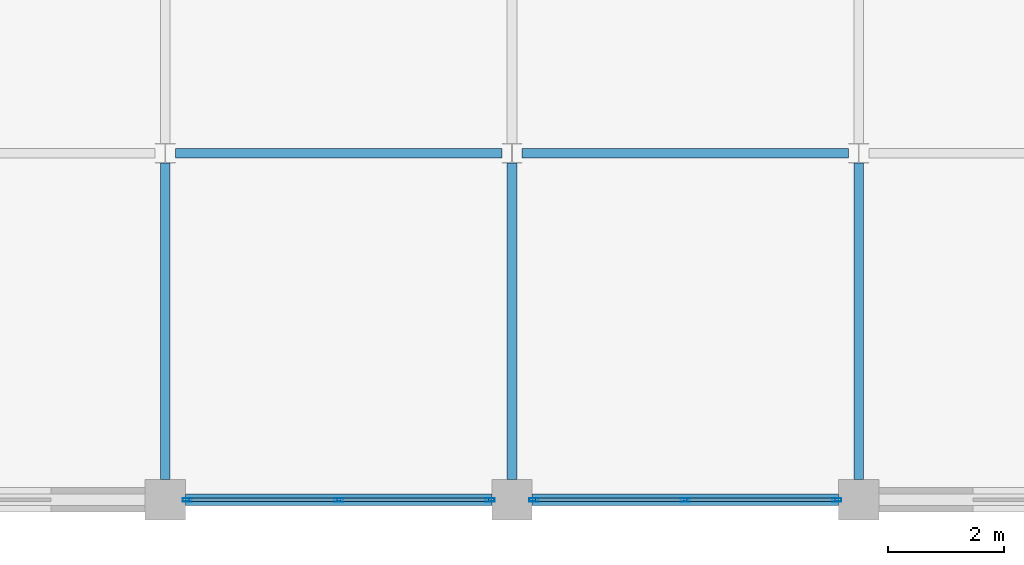
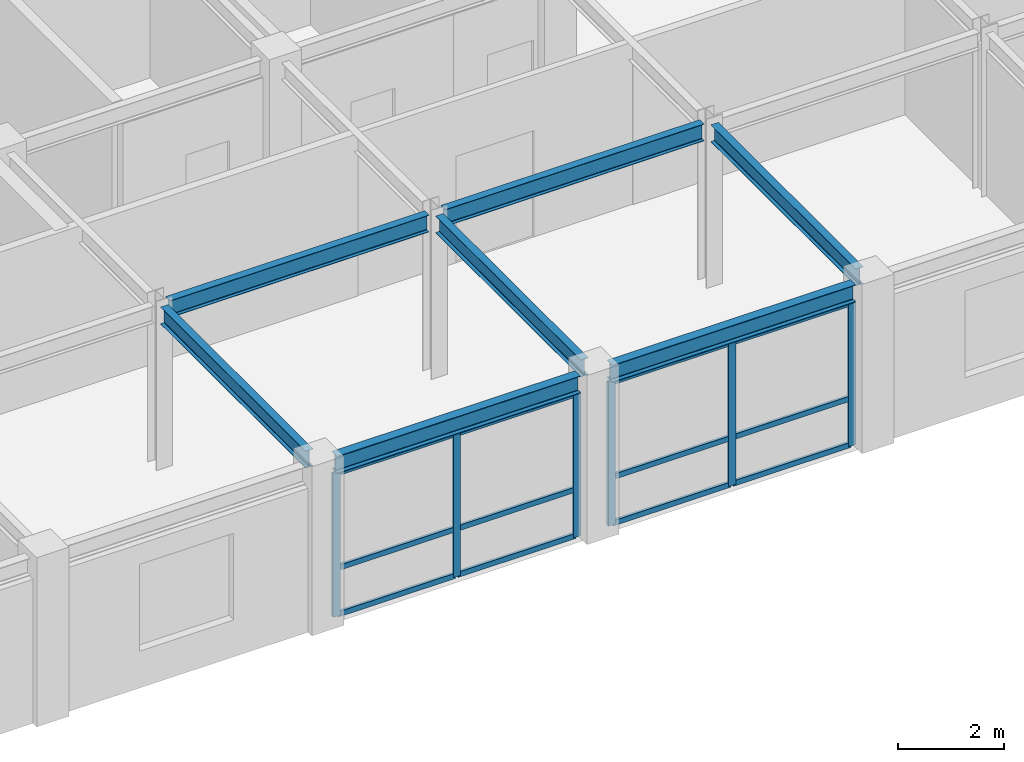
# One storey, part 5 of 13: 18 members, 7 beams, 2 elements without a shape of their own.
"""IFC4 building model written with IfcOpenShell, lengths in metres."""

from ifc_helpers import new_model, si_unit, direction, frame, origin, origin_2d, place, context, subcontext, project, spatial, hollow_rectangle, i_section, extrude, material, layer, layer_set, material_profile, profile_set, type_object, element, aggregate, save


model = new_model("IFC4")

# Units and contexts
model_context = context("Model", 3, precision=1e-05, world=origin(), true_north=direction((0.0, 1.0)))
body_context = subcontext(model_context, "Body", "Model", "MODEL_VIEW")
ifc_project = project(units=[si_unit("LENGTHUNIT", "METRE"), si_unit("AREAUNIT", "SQUARE_METRE"), si_unit("VOLUMEUNIT", "CUBIC_METRE"), si_unit("PLANEANGLEUNIT", "RADIAN"), si_unit("MASSUNIT", "GRAM", prefix="KILO")], contexts=[model_context])

# Site, building, storey
site_placement = place(None, origin())
site = spatial("IfcSite", under=ifc_project, at=site_placement, CompositionType="ELEMENT")
building_placement = place(site_placement, origin())
building = spatial("IfcBuilding", under=site, at=building_placement, Name="Zlatovratsky Civic Hall", CompositionType="ELEMENT")
storey_placement = place(building_placement, frame((0.0, 0.0, 44.39990234375)))
storey = spatial("IfcBuildingStorey", under=building, at=storey_placement, Name="L11", CompositionType="ELEMENT", Elevation=44.39990234375)

# Beams
ifc_material_1 = material(Name="Steel S355", Category="steel")
ifc_material_profile_1 = material_profile(ifc_material_1, i_section(OverallWidth=0.199951171875, OverallDepth=0.39990234375, WebThickness=0.008056640625, FlangeThickness=0.012939453125, FilletRadius=0.014892578125, at=origin_2d()), Name="40B2")
ifc_profile_set_1 = profile_set([ifc_material_profile_1], Name="Steel S355")
beam_type_1 = type_object("IfcBeamType", Name="Beam_Spandrel_40B2", PredefinedType="SPANDREL", material=ifc_profile_set_1)
for number, where, z_axis, x_axis, name in (
    (1, (78.35009765625, 72.0, 3.5400390625), (1.0, 0.0, 0.0), (0.0, 1.0, 0.0), "BM-4706"),
    (2, (84.35009765625, 72.0, 3.5400390625), (1.0, 0.0, 0.0), (0.0, 1.0, 0.0), "BM-4707"),
):
    element("IfcBeam", number, at=place(storey_placement, frame(where, z_axis=z_axis, x_axis=x_axis)), inside=storey, type_object=beam_type_1, Name=name, PredefinedType="SPANDREL", context=body_context, shape_type="SweptSolid", body=[
        extrude(i_section(OverallWidth=0.199951171875, OverallDepth=0.39990234375, WebThickness=0.008056640625, FlangeThickness=0.012939453125, FilletRadius=0.014892578125, at=origin_2d()), origin(), (0.0, 0.0, 1.0), 5.2998046875),
    ])
ifc_material_profile_2 = material_profile(ifc_material_1, i_section(OverallWidth=0.1650390625, OverallDepth=0.39208984375, WebThickness=0.006591796875, FlangeThickness=0.009521484375, FilletRadius=0.014892578125, at=origin_2d()), Name="40B1")
ifc_profile_set_2 = profile_set([ifc_material_profile_2], Name="Steel S355")
beam_type_2 = type_object("IfcBeamType", Name="Beam_Tie_40B1", PredefinedType="BEAM", material=ifc_profile_set_2)
for number, where, z_axis, x_axis, name in (
    (3, (78.175048828125, 78.0, 3.544189453125), (1.0, 0.0, 0.0), (0.0, 1.0, 0.0), "BM-4714"),
    (4, (84.175048828125, 78.0, 3.544189453125), (1.0, 0.0, 0.0), (0.0, 1.0, 0.0), "BM-4715"),
):
    element("IfcBeam", number, at=place(storey_placement, frame(where, z_axis=z_axis, x_axis=x_axis)), inside=storey, type_object=beam_type_2, Name=name, PredefinedType="BEAM", context=body_context, shape_type="SweptSolid", body=[
        extrude(i_section(OverallWidth=0.1650390625, OverallDepth=0.39208984375, WebThickness=0.006591796875, FlangeThickness=0.009521484375, FilletRadius=0.014892578125, at=origin_2d()), origin(), (0.0, 0.0, 1.0), 5.64990234375),
    ])
for number, where, z_axis, x_axis, name in (
    (5, (78.0, 72.35009765625, 3.544189453125), (0.0, 1.0, 0.0), (-1.0, 0.0, 0.0), "BM-4764"),
    (6, (84.0, 72.35009765625, 3.544189453125), (0.0, 1.0, 0.0), (-1.0, 0.0, 0.0), "BM-4769"),
    (7, (90.0, 72.35009765625, 3.544189453125), (0.0, 1.0, 0.0), (-1.0, 0.0, 0.0), "BM-4774"),
):
    element("IfcBeam", number, at=place(storey_placement, frame(where, z_axis=z_axis, x_axis=x_axis)), inside=storey, type_object=beam_type_2, Name=name, PredefinedType="BEAM", context=body_context, shape_type="SweptSolid", body=[
        extrude(i_section(OverallWidth=0.1650390625, OverallDepth=0.39208984375, WebThickness=0.006591796875, FlangeThickness=0.009521484375, FilletRadius=0.014892578125, at=origin_2d()), origin(), (0.0, 0.0, 1.0), 5.478515625),
    ])

# Curtain wall, members
ifc_material_2 = material(Name="Anodised bronze aluminium", Category="aluminium")
ifc_layer = layer(ifc_material_2, 0.159912109375)
ifc_layer_set = layer_set([ifc_layer], Name="Anodised bronze aluminium")
curtain_wall_type = type_object("IfcCurtainWallType", Name="CurtainWall_Bronze_5300x3320_21", PredefinedType="NOTDEFINED", material=ifc_layer_set)
curtain_wall_1_placement = place(storey_placement, origin())
curtain_wall_1 = element("IfcCurtainWall", 8, at=curtain_wall_1_placement, inside=storey, type_object=curtain_wall_type, Name="CW-153", PredefinedType="NOTDEFINED")
ifc_material_profile_3 = material_profile(ifc_material_2, hollow_rectangle(XDim=0.06005859375, YDim=0.159912109375, WallThickness=0.00390625, at=origin_2d()), Name="ALU 60x160x4")
ifc_profile_set_3 = profile_set([ifc_material_profile_3], Name="Anodised bronze aluminium")
member_type_1 = type_object("IfcMemberType", Name="CW_Mullion_60x160", PredefinedType="MULLION", material=ifc_profile_set_3)
member_1_placement = place(storey_placement, frame((78.3798828125, 72.0, 0.0), z_axis=(0.0, 0.0, 1.0), x_axis=(0.0, 1.0, 0.0)))
member_1 = element("IfcMember", 9, at=member_1_placement, type_object=member_type_1, Name="CW-21 mullion 1", PredefinedType="MULLION", context=body_context, shape_type="SweptSolid", body=[
    extrude(hollow_rectangle(XDim=0.06005859375, YDim=0.159912109375, WallThickness=0.00390625, at=origin_2d()), origin(), (0.0, 0.0, 1.0), 3.320068359375),
])
member_2_placement = place(storey_placement, frame((81.0, 72.0, 0.0), z_axis=(0.0, 0.0, 1.0), x_axis=(0.0, 1.0, 0.0)))
member_2 = element("IfcMember", 10, at=member_2_placement, type_object=member_type_1, Name="CW-21 mullion 2", PredefinedType="MULLION", context=body_context, shape_type="SweptSolid", body=[
    extrude(hollow_rectangle(XDim=0.06005859375, YDim=0.159912109375, WallThickness=0.00390625, at=origin_2d()), origin(), (0.0, 0.0, 1.0), 3.320068359375),
])
member_3_placement = place(storey_placement, frame((83.6201171875, 72.0, 0.0), z_axis=(0.0, 0.0, 1.0), x_axis=(0.0, 1.0, 0.0)))
member_3 = element("IfcMember", 11, at=member_3_placement, type_object=member_type_1, Name="CW-21 mullion 3", PredefinedType="MULLION", context=body_context, shape_type="SweptSolid", body=[
    extrude(hollow_rectangle(XDim=0.06005859375, YDim=0.159912109375, WallThickness=0.00390625, at=origin_2d()), origin(), (0.0, 0.0, 1.0), 3.320068359375),
])

curtain_wall_2_placement = place(storey_placement, origin())
curtain_wall_2 = element("IfcCurtainWall", 12, at=curtain_wall_2_placement, inside=storey, type_object=curtain_wall_type, Name="CW-154", PredefinedType="NOTDEFINED")
member_4_placement = place(storey_placement, frame((84.3798828125, 72.0, 0.0), z_axis=(0.0, 0.0, 1.0), x_axis=(0.0, 1.0, 0.0)))
member_4 = element("IfcMember", 13, at=member_4_placement, type_object=member_type_1, Name="CW-21 mullion 1", PredefinedType="MULLION", context=body_context, shape_type="SweptSolid", body=[
    extrude(hollow_rectangle(XDim=0.06005859375, YDim=0.159912109375, WallThickness=0.00390625, at=origin_2d()), origin(), (0.0, 0.0, 1.0), 3.320068359375),
])
member_5_placement = place(storey_placement, frame((87.0, 72.0, 0.0), z_axis=(0.0, 0.0, 1.0), x_axis=(0.0, 1.0, 0.0)))
member_5 = element("IfcMember", 14, at=member_5_placement, type_object=member_type_1, Name="CW-21 mullion 2", PredefinedType="MULLION", context=body_context, shape_type="SweptSolid", body=[
    extrude(hollow_rectangle(XDim=0.06005859375, YDim=0.159912109375, WallThickness=0.00390625, at=origin_2d()), origin(), (0.0, 0.0, 1.0), 3.320068359375),
])
member_6_placement = place(storey_placement, frame((89.6201171875, 72.0, 0.0), z_axis=(0.0, 0.0, 1.0), x_axis=(0.0, 1.0, 0.0)))
member_6 = element("IfcMember", 15, at=member_6_placement, type_object=member_type_1, Name="CW-21 mullion 3", PredefinedType="MULLION", context=body_context, shape_type="SweptSolid", body=[
    extrude(hollow_rectangle(XDim=0.06005859375, YDim=0.159912109375, WallThickness=0.00390625, at=origin_2d()), origin(), (0.0, 0.0, 1.0), 3.320068359375),
])

# Member
ifc_material_profile_4 = material_profile(ifc_material_2, hollow_rectangle(XDim=0.06005859375, YDim=0.1201171875, WallThickness=0.00390625, at=origin_2d()), Name="ALU 60x120x4")
ifc_profile_set_4 = profile_set([ifc_material_profile_4], Name="Anodised bronze aluminium")
member_type_2 = type_object("IfcMemberType", Name="CW_Transom_60x120", PredefinedType="USERDEFINED", material=ifc_profile_set_4)
member_7_placement = place(storey_placement, frame((78.409912109375, 72.0, 0.030029296875), z_axis=(1.0, 0.0, 0.0), x_axis=(0.0, 1.0, 0.0)))
member_7 = element("IfcMember", 16, at=member_7_placement, type_object=member_type_2, Name="CW-21 transom 1.1", ObjectType="TRANSOM", PredefinedType="USERDEFINED", context=body_context, shape_type="SweptSolid", body=[
    extrude(hollow_rectangle(XDim=0.06005859375, YDim=0.1201171875, WallThickness=0.00390625, at=origin_2d()), origin(), (0.0, 0.0, 1.0), 2.56005859375),
])

member_8_placement = place(storey_placement, frame((78.409912109375, 72.0, 1.10009765625), z_axis=(1.0, 0.0, 0.0), x_axis=(0.0, 1.0, 0.0)))
member_8 = element("IfcMember", 17, at=member_8_placement, type_object=member_type_2, Name="CW-21 transom 1.2", ObjectType="TRANSOM", PredefinedType="USERDEFINED", context=body_context, shape_type="SweptSolid", body=[
    extrude(hollow_rectangle(XDim=0.06005859375, YDim=0.1201171875, WallThickness=0.00390625, at=origin_2d()), origin(), (0.0, 0.0, 1.0), 2.56005859375),
])

member_9_placement = place(storey_placement, frame((78.409912109375, 72.0, 3.2900390625), z_axis=(1.0, 0.0, 0.0), x_axis=(0.0, 1.0, 0.0)))
member_9 = element("IfcMember", 18, at=member_9_placement, type_object=member_type_2, Name="CW-21 transom 1.3", ObjectType="TRANSOM", PredefinedType="USERDEFINED", context=body_context, shape_type="SweptSolid", body=[
    extrude(hollow_rectangle(XDim=0.06005859375, YDim=0.1201171875, WallThickness=0.00390625, at=origin_2d()), origin(), (0.0, 0.0, 1.0), 2.56005859375),
])

member_10_placement = place(storey_placement, frame((81.030029296875, 72.0, 0.030029296875), z_axis=(1.0, 0.0, 0.0), x_axis=(0.0, 1.0, 0.0)))
member_10 = element("IfcMember", 19, at=member_10_placement, type_object=member_type_2, Name="CW-21 transom 2.1", ObjectType="TRANSOM", PredefinedType="USERDEFINED", context=body_context, shape_type="SweptSolid", body=[
    extrude(hollow_rectangle(XDim=0.06005859375, YDim=0.1201171875, WallThickness=0.00390625, at=origin_2d()), origin(), (0.0, 0.0, 1.0), 2.56005859375),
])

member_11_placement = place(storey_placement, frame((81.030029296875, 72.0, 1.10009765625), z_axis=(1.0, 0.0, 0.0), x_axis=(0.0, 1.0, 0.0)))
member_11 = element("IfcMember", 20, at=member_11_placement, type_object=member_type_2, Name="CW-21 transom 2.2", ObjectType="TRANSOM", PredefinedType="USERDEFINED", context=body_context, shape_type="SweptSolid", body=[
    extrude(hollow_rectangle(XDim=0.06005859375, YDim=0.1201171875, WallThickness=0.00390625, at=origin_2d()), origin(), (0.0, 0.0, 1.0), 2.56005859375),
])

member_12_placement = place(storey_placement, frame((81.030029296875, 72.0, 3.2900390625), z_axis=(1.0, 0.0, 0.0), x_axis=(0.0, 1.0, 0.0)))
member_12 = element("IfcMember", 21, at=member_12_placement, type_object=member_type_2, Name="CW-21 transom 2.3", ObjectType="TRANSOM", PredefinedType="USERDEFINED", context=body_context, shape_type="SweptSolid", body=[
    extrude(hollow_rectangle(XDim=0.06005859375, YDim=0.1201171875, WallThickness=0.00390625, at=origin_2d()), origin(), (0.0, 0.0, 1.0), 2.56005859375),
])

aggregate(curtain_wall_1, [member_1, member_2, member_3, member_7, member_8, member_9, member_10, member_11, member_12])

member_13_placement = place(storey_placement, frame((84.409912109375, 72.0, 0.030029296875), z_axis=(1.0, 0.0, 0.0), x_axis=(0.0, 1.0, 0.0)))
member_13 = element("IfcMember", 22, at=member_13_placement, type_object=member_type_2, Name="CW-21 transom 1.1", ObjectType="TRANSOM", PredefinedType="USERDEFINED", context=body_context, shape_type="SweptSolid", body=[
    extrude(hollow_rectangle(XDim=0.06005859375, YDim=0.1201171875, WallThickness=0.00390625, at=origin_2d()), origin(), (0.0, 0.0, 1.0), 2.56005859375),
])

member_14_placement = place(storey_placement, frame((84.409912109375, 72.0, 1.10009765625), z_axis=(1.0, 0.0, 0.0), x_axis=(0.0, 1.0, 0.0)))
member_14 = element("IfcMember", 23, at=member_14_placement, type_object=member_type_2, Name="CW-21 transom 1.2", ObjectType="TRANSOM", PredefinedType="USERDEFINED", context=body_context, shape_type="SweptSolid", body=[
    extrude(hollow_rectangle(XDim=0.06005859375, YDim=0.1201171875, WallThickness=0.00390625, at=origin_2d()), origin(), (0.0, 0.0, 1.0), 2.56005859375),
])

member_15_placement = place(storey_placement, frame((84.409912109375, 72.0, 3.2900390625), z_axis=(1.0, 0.0, 0.0), x_axis=(0.0, 1.0, 0.0)))
member_15 = element("IfcMember", 24, at=member_15_placement, type_object=member_type_2, Name="CW-21 transom 1.3", ObjectType="TRANSOM", PredefinedType="USERDEFINED", context=body_context, shape_type="SweptSolid", body=[
    extrude(hollow_rectangle(XDim=0.06005859375, YDim=0.1201171875, WallThickness=0.00390625, at=origin_2d()), origin(), (0.0, 0.0, 1.0), 2.56005859375),
])

member_16_placement = place(storey_placement, frame((87.030029296875, 72.0, 0.030029296875), z_axis=(1.0, 0.0, 0.0), x_axis=(0.0, 1.0, 0.0)))
member_16 = element("IfcMember", 25, at=member_16_placement, type_object=member_type_2, Name="CW-21 transom 2.1", ObjectType="TRANSOM", PredefinedType="USERDEFINED", context=body_context, shape_type="SweptSolid", body=[
    extrude(hollow_rectangle(XDim=0.06005859375, YDim=0.1201171875, WallThickness=0.00390625, at=origin_2d()), origin(), (0.0, 0.0, 1.0), 2.56005859375),
])

member_17_placement = place(storey_placement, frame((87.030029296875, 72.0, 1.10009765625), z_axis=(1.0, 0.0, 0.0), x_axis=(0.0, 1.0, 0.0)))
member_17 = element("IfcMember", 26, at=member_17_placement, type_object=member_type_2, Name="CW-21 transom 2.2", ObjectType="TRANSOM", PredefinedType="USERDEFINED", context=body_context, shape_type="SweptSolid", body=[
    extrude(hollow_rectangle(XDim=0.06005859375, YDim=0.1201171875, WallThickness=0.00390625, at=origin_2d()), origin(), (0.0, 0.0, 1.0), 2.56005859375),
])

member_18_placement = place(storey_placement, frame((87.030029296875, 72.0, 3.2900390625), z_axis=(1.0, 0.0, 0.0), x_axis=(0.0, 1.0, 0.0)))
member_18 = element("IfcMember", 27, at=member_18_placement, type_object=member_type_2, Name="CW-21 transom 2.3", ObjectType="TRANSOM", PredefinedType="USERDEFINED", context=body_context, shape_type="SweptSolid", body=[
    extrude(hollow_rectangle(XDim=0.06005859375, YDim=0.1201171875, WallThickness=0.00390625, at=origin_2d()), origin(), (0.0, 0.0, 1.0), 2.56005859375),
])

aggregate(curtain_wall_2, [member_4, member_5, member_6, member_13, member_14, member_15, member_16, member_17, member_18])

save(model, "model.ifc")
